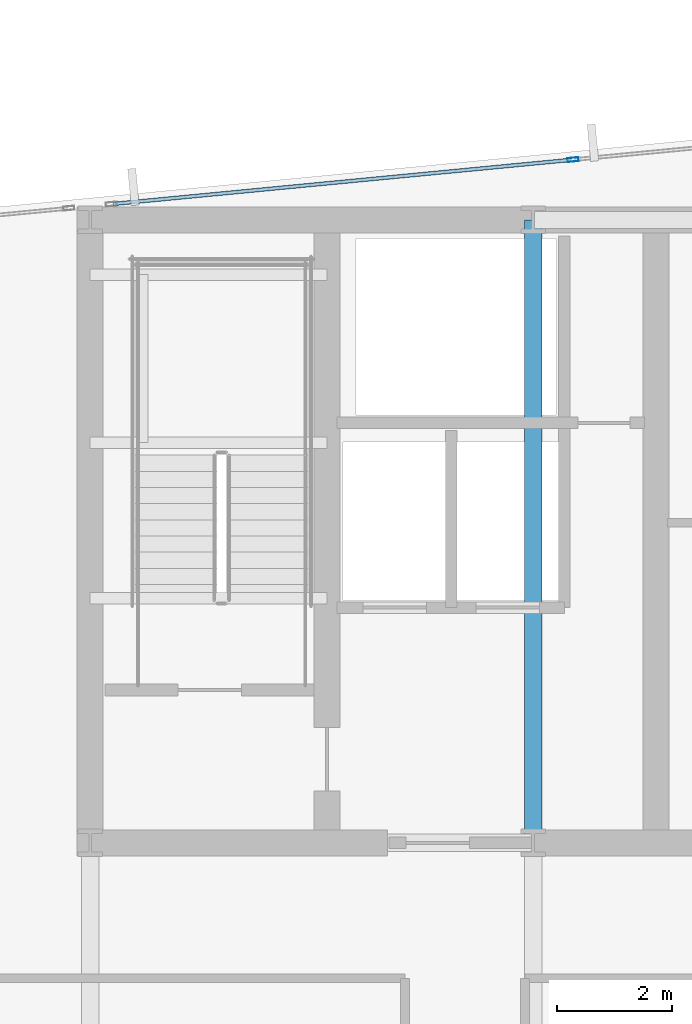
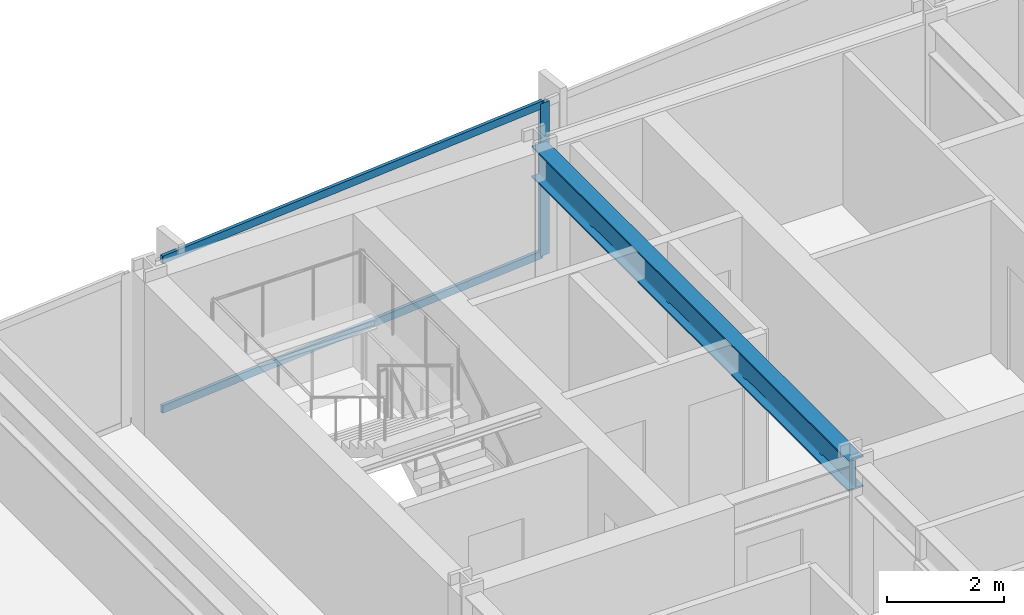
# One storey, part 18 of 32: 3 members, 1 beam, 1 element without a shape of its own.
"""IFC4 building model written with IfcOpenShell, lengths in metres."""

from ifc_helpers import new_model, si_unit, direction, frame, origin, origin_2d, place, context, subcontext, project, spatial, hollow_rectangle, i_section, extrude, material, material_profile, profile_set, type_object, element, aggregate, save


model = new_model("IFC4")

# Units and contexts
model_context = context("Model", 3, precision=1e-05, world=origin(), true_north=direction((0.0, 1.0)))
body_context = subcontext(model_context, "Body", "Model", "MODEL_VIEW")
ifc_project = project(units=[si_unit("LENGTHUNIT", "METRE"), si_unit("AREAUNIT", "SQUARE_METRE"), si_unit("VOLUMEUNIT", "CUBIC_METRE"), si_unit("PLANEANGLEUNIT", "RADIAN"), si_unit("MASSUNIT", "GRAM", prefix="KILO")], contexts=[model_context])

# Site, building, storey
site_placement = place(None, origin())
site = spatial("IfcSite", under=ifc_project, at=site_placement, CompositionType="ELEMENT")
building_placement = place(site_placement, origin())
building = spatial("IfcBuilding", under=site, at=building_placement, Name="Yelkora Congress Tower", CompositionType="ELEMENT")
storey_placement = place(building_placement, frame((0.0, 0.0, 120.300048828125)))
storey = spatial("IfcBuildingStorey", under=building, at=storey_placement, Name="L32", CompositionType="ELEMENT", Elevation=120.300048828125)

# Beam
ifc_material_1 = material(Name="Steel S355J2", Category="steel")
ifc_material_profile_1 = material_profile(ifc_material_1, i_section(OverallWidth=0.300048828125, OverallDepth=0.64990234375, WebThickness=0.01611328125, FlangeThickness=0.031005859375, FilletRadius=0.027099609375, at=origin_2d()), Name="HEB 650")
ifc_profile_set_1 = profile_set([ifc_material_profile_1], Name="Steel S355J2")
beam_type = type_object("IfcBeamType", Name="BM-GIRD-HEB650", PredefinedType="BEAM", material=ifc_profile_set_1)
beam_placement = place(storey_placement, frame((30.719970703125, 35.39990234375, 2.85498046875), z_axis=(0.0, 1.0, 0.0), x_axis=(-1.0, 0.0, 0.0)))
element("IfcBeam", 1, at=beam_placement, inside=storey, type_object=beam_type, Name="L32 Core Tie Girder MC-S2", PredefinedType="BEAM", context=body_context, shape_type="SweptSolid", body=[
    extrude(i_section(OverallWidth=0.300048828125, OverallDepth=0.64990234375, WebThickness=0.01611328125, FlangeThickness=0.031005859375, FilletRadius=0.027099609375, at=origin_2d()), origin(), (0.0, 0.0, 1.0), 10.800048828125),
])

# Curtain wall, members
ifc_material_2 = material(Name="Anodised aluminium and insulated glass", Category="aluminium")
curtain_wall_type = type_object("IfcCurtainWallType", Name="CW-SYS-B2", PredefinedType="NOTDEFINED", material=ifc_material_2)
curtain_wall_placement = place(storey_placement, origin())
curtain_wall = element("IfcCurtainWall", 2, at=curtain_wall_placement, inside=storey, type_object=curtain_wall_type, Name="L32 Unitised Curtain Wall 10 (3)", PredefinedType="NOTDEFINED")
ifc_material_3 = material(Name="Anodised aluminium 6063-T6", Category="aluminium")
ifc_material_profile_2 = material_profile(ifc_material_3, hollow_rectangle(XDim=0.070068359375, YDim=0.18994140625, WallThickness=0.00390625, at=origin_2d()), Name="ALU 70x190x4")
ifc_profile_set_2 = profile_set([ifc_material_profile_2], Name="Anodised aluminium 6063-T6")
member_type_1 = type_object("IfcMemberType", Name="MEM-ML-B2", PredefinedType="MULLION", material=ifc_profile_set_2)
member_1_placement = place(storey_placement, frame((31.411865234375, 47.244140625, 0.0), z_axis=(0.0, 0.0, 1.0), x_axis=(-0.095844238468, 0.995396344153, 0.0)))
member_1 = element("IfcMember", 3, at=member_1_placement, type_object=member_type_1, Name="CW-B2 mullion 2", PredefinedType="MULLION", context=body_context, shape_type="SweptSolid", body=[
    extrude(hollow_rectangle(XDim=0.070068359375, YDim=0.18994140625, WallThickness=0.00390625, at=origin_2d()), origin(), (0.0, 0.0, 1.0), 3.179931640625),
])
ifc_material_profile_3 = material_profile(ifc_material_3, hollow_rectangle(XDim=0.06494140625, YDim=0.159912109375, WallThickness=0.00390625, at=origin_2d()), Name="ALU 65x160x4")
ifc_profile_set_3 = profile_set([ifc_material_profile_3], Name="Anodised aluminium 6063-T6")
member_type_2 = type_object("IfcMemberType", Name="MEM-TR-B2", PredefinedType="USERDEFINED", material=ifc_profile_set_3)
member_2_placement = place(storey_placement, frame((23.441650390625, 46.476806640625, 0.032470703125), z_axis=(0.995398474706, 0.09582210889, 0.0), x_axis=(-0.09582210889, 0.995398474706, 0.0)))
member_2 = element("IfcMember", 4, at=member_2_placement, type_object=member_type_2, Name="CW-B2 transom 1.1", ObjectType="TRANSOM", PredefinedType="USERDEFINED", context=body_context, shape_type="SweptSolid", body=[
    extrude(hollow_rectangle(XDim=0.06494140625, YDim=0.159912109375, WallThickness=0.00390625, at=origin_2d()), origin(), (0.0, 0.0, 1.0), 7.97216796875),
])
member_3_placement = place(storey_placement, frame((23.441650390625, 46.476806640625, 3.1474609375), z_axis=(0.995398474706, 0.09582210889, 0.0), x_axis=(-0.09582210889, 0.995398474706, 0.0)))
member_3 = element("IfcMember", 5, at=member_3_placement, type_object=member_type_2, Name="CW-B2 transom 1.2", ObjectType="TRANSOM", PredefinedType="USERDEFINED", context=body_context, shape_type="SweptSolid", body=[
    extrude(hollow_rectangle(XDim=0.06494140625, YDim=0.159912109375, WallThickness=0.00390625, at=origin_2d()), origin(), (0.0, 0.0, 1.0), 7.97216796875),
])
aggregate(curtain_wall, [member_1, member_2, member_3])

save(model, "model.ifc")
